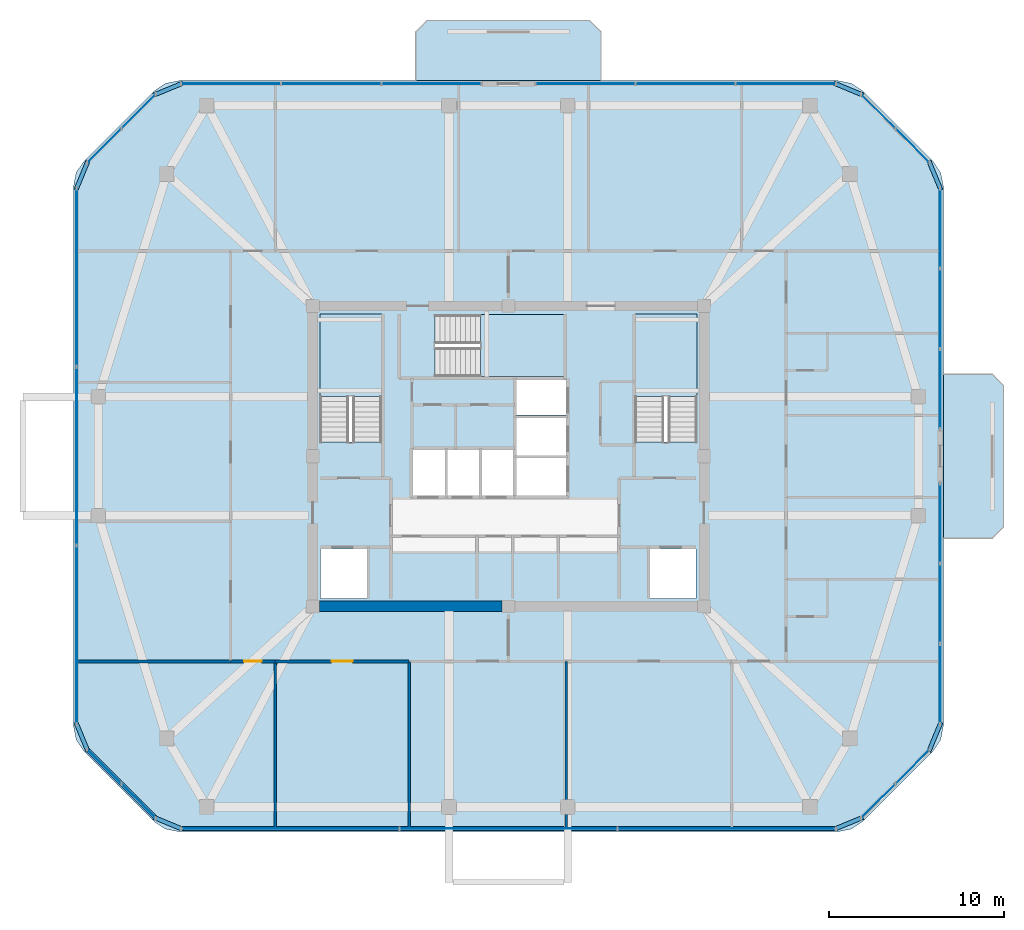
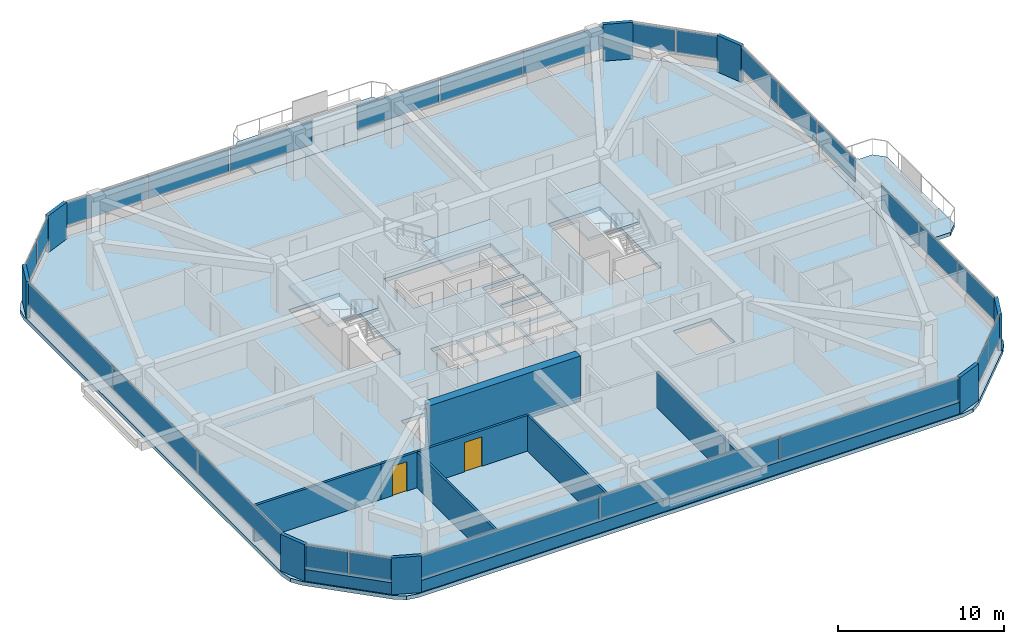
# One storey, part 8 of 14: 34 plates, 9 walls, 6 slabs, 2 doors, 2 openings, 13 elements without a shape of their own.
"""IFC4 building model written with IfcOpenShell, lengths in metres."""

from ifc_helpers import new_model, si_unit, derived_unit, direction, frame, frame_2d, origin, origin_2d, place, context, subcontext, project, spatial, polyline, rectangle, outline, extrude, material, layer, layer_set, type_object, element, fill, aggregate, save


model = new_model("IFC4")

# Units and contexts
model_context = context("Model", 3, precision=1e-05, world=origin(), true_north=direction((0.0, 1.0)))
body_context = subcontext(model_context, "Body", "Model", "MODEL_VIEW")
ifc_project = project(units=[si_unit("LENGTHUNIT", "METRE"), si_unit("AREAUNIT", "SQUARE_METRE"), si_unit("VOLUMEUNIT", "CUBIC_METRE"), si_unit("PLANEANGLEUNIT", "RADIAN"), si_unit("MASSUNIT", "GRAM", prefix="KILO"), derived_unit("THERMALTRANSMITTANCEUNIT", [(si_unit("POWERUNIT", "WATT"), 1), (si_unit("LENGTHUNIT", "METRE"), -2), (si_unit("THERMODYNAMICTEMPERATUREUNIT", "KELVIN"), -1)])], contexts=[model_context])

# Site, building, storey
site_placement = place(None, origin())
site = spatial("IfcSite", under=ifc_project, at=site_placement, CompositionType="ELEMENT")
building_placement = place(site_placement, origin())
building = spatial("IfcBuilding", under=site, at=building_placement, Name="Koralith Skygarden Medical Center", CompositionType="ELEMENT")
storey_placement = place(building_placement, frame((0.0, 0.0, 260.820068359375)))
storey = spatial("IfcBuildingStorey", under=building, at=storey_placement, Name="L67", CompositionType="ELEMENT", Elevation=260.820068359375)

# Curtain wall, plates
ifc_material_1 = material(Name="Clear Laminated Glass", Category="glass")
curtain_wall_type = type_object("IfcCurtainWallType", Name="CW-6 Zone 5 Upper Clinical Curtain Wall", PredefinedType="NOTDEFINED", material=ifc_material_1)
curtain_wall_1_placement = place(storey_placement, origin())
curtain_wall_1 = element("IfcCurtainWall", 1, at=curtain_wall_1_placement, inside=storey, type_object=curtain_wall_type, Name="Curtain Wall CW-L67-S", PredefinedType="NOTDEFINED")
ifc_layer_1 = layer(ifc_material_1, 0.0400390625)
ifc_layer_set_1 = layer_set([ifc_layer_1], Name="Clear Laminated Glass")
plate_type_1 = type_object("IfcPlateType", Name="CW-6 Hurricane Laminated IGU Panel 40", PredefinedType="CURTAIN_PANEL", material=ifc_layer_set_1)
plate_1_placement = place(storey_placement, frame((24.5029296875, 4.580078125, 0.919921875), z_axis=(0.0, 0.0, 1.0), x_axis=(1.0, 0.0, 0.0)))
plate_1 = element("IfcPlate", 2, at=plate_1_placement, type_object=plate_type_1, Name="CW-L67-S Glazed Panel 1", PredefinedType="CURTAIN_PANEL", context=body_context, shape_type="SweptSolid", body=[
    extrude(rectangle(XDim=12.406982421875, YDim=0.0400390625, at=origin_2d()), origin(), (0.0, 0.0, 1.0), 1.699951171875),
])
plate_2_placement = place(storey_placement, frame((37.0, 4.580078125, 0.919921875), z_axis=(0.0, 0.0, 1.0), x_axis=(1.0, 0.0, 0.0)))
plate_2 = element("IfcPlate", 3, at=plate_2_placement, type_object=plate_type_1, Name="CW-L67-S Glazed Panel 2", PredefinedType="CURTAIN_PANEL", context=body_context, shape_type="SweptSolid", body=[
    extrude(rectangle(XDim=12.406982421875, YDim=0.0400390625, at=origin_2d()), origin(), (0.0, 0.0, 1.0), 1.699951171875),
])
plate_3_placement = place(storey_placement, frame((49.4970703125, 4.580078125, 0.919921875), z_axis=(0.0, 0.0, 1.0), x_axis=(1.0, 0.0, 0.0)))
plate_3 = element("IfcPlate", 4, at=plate_3_placement, type_object=plate_type_1, Name="CW-L67-S Glazed Panel 3", PredefinedType="CURTAIN_PANEL", context=body_context, shape_type="SweptSolid", body=[
    extrude(rectangle(XDim=12.406982421875, YDim=0.0400390625, at=origin_2d()), origin(), (0.0, 0.0, 1.0), 1.699951171875),
])
aggregate(curtain_wall_1, [plate_1, plate_2, plate_3])

curtain_wall_2_placement = place(storey_placement, origin())
curtain_wall_2 = element("IfcCurtainWall", 5, at=curtain_wall_2_placement, inside=storey, type_object=curtain_wall_type, Name="Curtain Wall CW-L67-SE", PredefinedType="NOTDEFINED")
plate_4_placement = place(storey_placement, frame((58.177001953125, 6.162109375, 0.919921875), z_axis=(0.0, 0.0, 1.0), x_axis=(0.707106781187, 0.707106781187, 0.0)))
plate_4 = element("IfcPlate", 6, at=plate_4_placement, type_object=plate_type_1, Name="CW-L67-SE Glazed Panel 1", PredefinedType="CURTAIN_PANEL", context=body_context, shape_type="SweptSolid", body=[
    extrude(rectangle(XDim=2.68408203125, YDim=0.0400390625, at=origin_2d()), origin(), (0.0, 0.0, 1.0), 1.699951171875),
])
plate_5_placement = place(storey_placement, frame((60.137939453125, 8.123046875, 0.919921875), z_axis=(0.0, 0.0, 1.0), x_axis=(0.707106781187, 0.707106781187, 0.0)))
plate_5 = element("IfcPlate", 7, at=plate_5_placement, type_object=plate_type_1, Name="CW-L67-SE Glazed Panel 2", PredefinedType="CURTAIN_PANEL", context=body_context, shape_type="SweptSolid", body=[
    extrude(rectangle(XDim=2.68408203125, YDim=0.0400390625, at=origin_2d()), origin(), (0.0, 0.0, 1.0), 1.699951171875),
])
aggregate(curtain_wall_2, [plate_4, plate_5])

curtain_wall_3_placement = place(storey_placement, origin())
curtain_wall_3 = element("IfcCurtainWall", 8, at=curtain_wall_3_placement, inside=storey, type_object=curtain_wall_type, Name="Curtain Wall CW-L67-E-L", PredefinedType="NOTDEFINED")
plate_6_placement = place(storey_placement, frame((61.719970703125, 12.85595703125, 0.919921875), z_axis=(0.0, 0.0, 1.0), x_axis=(0.0, 1.0, 0.0)))
plate_6 = element("IfcPlate", 9, at=plate_6_placement, type_object=plate_type_1, Name="CW-L67-E-L Glazed Panel 1", PredefinedType="CURTAIN_PANEL", context=body_context, shape_type="SweptSolid", body=[
    extrude(rectangle(XDim=4.511962890625, YDim=0.0400390625, at=origin_2d()), origin(), (0.0, 0.0, 1.0), 1.699951171875),
])
plate_7_placement = place(storey_placement, frame((61.719970703125, 17.45703125, 0.919921875), z_axis=(0.0, 0.0, 1.0), x_axis=(0.0, 1.0, 0.0)))
plate_7 = element("IfcPlate", 10, at=plate_7_placement, type_object=plate_type_1, Name="CW-L67-E-L Glazed Panel 2", PredefinedType="CURTAIN_PANEL", context=body_context, shape_type="SweptSolid", body=[
    extrude(rectangle(XDim=4.511962890625, YDim=0.0400390625, at=origin_2d()), origin(), (0.0, 0.0, 1.0), 1.699951171875),
])
plate_8_placement = place(storey_placement, frame((61.719970703125, 22.05908203125, 0.919921875), z_axis=(0.0, 0.0, 1.0), x_axis=(0.0, 1.0, 0.0)))
plate_8 = element("IfcPlate", 11, at=plate_8_placement, type_object=plate_type_1, Name="CW-L67-E-L Glazed Panel 3", PredefinedType="CURTAIN_PANEL", context=body_context, shape_type="SweptSolid", body=[
    extrude(rectangle(XDim=4.511962890625, YDim=0.0400390625, at=origin_2d()), origin(), (0.0, 0.0, 1.0), 1.699951171875),
])
aggregate(curtain_wall_3, [plate_6, plate_7, plate_8])

curtain_wall_4_placement = place(storey_placement, origin())
curtain_wall_4 = element("IfcCurtainWall", 12, at=curtain_wall_4_placement, inside=storey, type_object=curtain_wall_type, Name="Curtain Wall CW-L67-E-R", PredefinedType="NOTDEFINED")
plate_9_placement = place(storey_placement, frame((61.719970703125, 29.740966796875, 0.919921875), z_axis=(0.0, 0.0, 1.0), x_axis=(0.0, 1.0, 0.0)))
plate_9 = element("IfcPlate", 13, at=plate_9_placement, type_object=plate_type_1, Name="CW-L67-E-R Glazed Panel 1", PredefinedType="CURTAIN_PANEL", context=body_context, shape_type="SweptSolid", body=[
    extrude(rectangle(XDim=4.511962890625, YDim=0.0400390625, at=origin_2d()), origin(), (0.0, 0.0, 1.0), 1.699951171875),
])
plate_10_placement = place(storey_placement, frame((61.719970703125, 34.343017578125, 0.919921875), z_axis=(0.0, 0.0, 1.0), x_axis=(0.0, 1.0, 0.0)))
plate_10 = element("IfcPlate", 14, at=plate_10_placement, type_object=plate_type_1, Name="CW-L67-E-R Glazed Panel 2", PredefinedType="CURTAIN_PANEL", context=body_context, shape_type="SweptSolid", body=[
    extrude(rectangle(XDim=4.511962890625, YDim=0.0400390625, at=origin_2d()), origin(), (0.0, 0.0, 1.0), 1.699951171875),
])
plate_11_placement = place(storey_placement, frame((61.719970703125, 38.944091796875, 0.919921875), z_axis=(0.0, 0.0, 1.0), x_axis=(0.0, 1.0, 0.0)))
plate_11 = element("IfcPlate", 15, at=plate_11_placement, type_object=plate_type_1, Name="CW-L67-E-R Glazed Panel 3", PredefinedType="CURTAIN_PANEL", context=body_context, shape_type="SweptSolid", body=[
    extrude(rectangle(XDim=4.511962890625, YDim=0.0400390625, at=origin_2d()), origin(), (0.0, 0.0, 1.0), 1.699951171875),
])
aggregate(curtain_wall_4, [plate_9, plate_10, plate_11])

curtain_wall_5_placement = place(storey_placement, origin())
curtain_wall_5 = element("IfcCurtainWall", 16, at=curtain_wall_5_placement, inside=storey, type_object=curtain_wall_type, Name="Curtain Wall CW-L67-NE", PredefinedType="NOTDEFINED")
plate_12_placement = place(storey_placement, frame((60.137939453125, 43.677001953125, 0.919921875), z_axis=(0.0, 0.0, 1.0), x_axis=(-0.707106781187, 0.707106781187, 0.0)))
plate_12 = element("IfcPlate", 17, at=plate_12_placement, type_object=plate_type_1, Name="CW-L67-NE Glazed Panel 1", PredefinedType="CURTAIN_PANEL", context=body_context, shape_type="SweptSolid", body=[
    extrude(rectangle(XDim=2.68408203125, YDim=0.0400390625, at=origin_2d()), origin(), (0.0, 0.0, 1.0), 1.699951171875),
])
plate_13_placement = place(storey_placement, frame((58.177001953125, 45.637939453125, 0.919921875), z_axis=(0.0, 0.0, 1.0), x_axis=(-0.707106781187, 0.707106781187, 0.0)))
plate_13 = element("IfcPlate", 18, at=plate_13_placement, type_object=plate_type_1, Name="CW-L67-NE Glazed Panel 2", PredefinedType="CURTAIN_PANEL", context=body_context, shape_type="SweptSolid", body=[
    extrude(rectangle(XDim=2.68408203125, YDim=0.0400390625, at=origin_2d()), origin(), (0.0, 0.0, 1.0), 1.699951171875),
])
aggregate(curtain_wall_5, [plate_12, plate_13])

curtain_wall_6_placement = place(storey_placement, origin())
curtain_wall_6 = element("IfcCurtainWall", 19, at=curtain_wall_6_placement, inside=storey, type_object=curtain_wall_type, Name="Curtain Wall CW-L67-N-L", PredefinedType="NOTDEFINED")
plate_14_placement = place(storey_placement, frame((52.8779296875, 47.219970703125, 0.919921875), z_axis=(0.0, 0.0, 1.0), x_axis=(-1.0, 0.0, 0.0)))
plate_14 = element("IfcPlate", 20, at=plate_14_placement, type_object=plate_type_1, Name="CW-L67-N-L Glazed Panel 1", PredefinedType="CURTAIN_PANEL", context=body_context, shape_type="SweptSolid", body=[
    extrude(rectangle(XDim=5.64501953125, YDim=0.0400390625, at=origin_2d()), origin(), (0.0, 0.0, 1.0), 1.699951171875),
])
plate_15_placement = place(storey_placement, frame((47.14306640625, 47.219970703125, 0.919921875), z_axis=(0.0, 0.0, 1.0), x_axis=(-1.0, 0.0, 0.0)))
plate_15 = element("IfcPlate", 21, at=plate_15_placement, type_object=plate_type_1, Name="CW-L67-N-L Glazed Panel 2", PredefinedType="CURTAIN_PANEL", context=body_context, shape_type="SweptSolid", body=[
    extrude(rectangle(XDim=5.64501953125, YDim=0.0400390625, at=origin_2d()), origin(), (0.0, 0.0, 1.0), 1.699951171875),
])
plate_16_placement = place(storey_placement, frame((41.407958984375, 47.219970703125, 0.919921875), z_axis=(0.0, 0.0, 1.0), x_axis=(-1.0, 0.0, 0.0)))
plate_16 = element("IfcPlate", 22, at=plate_16_placement, type_object=plate_type_1, Name="CW-L67-N-L Glazed Panel 3", PredefinedType="CURTAIN_PANEL", context=body_context, shape_type="SweptSolid", body=[
    extrude(rectangle(XDim=5.64501953125, YDim=0.0400390625, at=origin_2d()), origin(), (0.0, 0.0, 1.0), 1.699951171875),
])
aggregate(curtain_wall_6, [plate_14, plate_15, plate_16])

curtain_wall_7_placement = place(storey_placement, origin())
curtain_wall_7 = element("IfcCurtainWall", 23, at=curtain_wall_7_placement, inside=storey, type_object=curtain_wall_type, Name="Curtain Wall CW-L67-N-R", PredefinedType="NOTDEFINED")
plate_17_placement = place(storey_placement, frame((32.593017578125, 47.219970703125, 0.919921875), z_axis=(0.0, 0.0, 1.0), x_axis=(-1.0, 0.0, 0.0)))
plate_17 = element("IfcPlate", 24, at=plate_17_placement, type_object=plate_type_1, Name="CW-L67-N-R Glazed Panel 1", PredefinedType="CURTAIN_PANEL", context=body_context, shape_type="SweptSolid", body=[
    extrude(rectangle(XDim=5.64501953125, YDim=0.0400390625, at=origin_2d()), origin(), (0.0, 0.0, 1.0), 1.699951171875),
])
plate_18_placement = place(storey_placement, frame((26.85791015625, 47.219970703125, 0.919921875), z_axis=(0.0, 0.0, 1.0), x_axis=(-1.0, 0.0, 0.0)))
plate_18 = element("IfcPlate", 25, at=plate_18_placement, type_object=plate_type_1, Name="CW-L67-N-R Glazed Panel 2", PredefinedType="CURTAIN_PANEL", context=body_context, shape_type="SweptSolid", body=[
    extrude(rectangle(XDim=5.64501953125, YDim=0.0400390625, at=origin_2d()), origin(), (0.0, 0.0, 1.0), 1.699951171875),
])
plate_19_placement = place(storey_placement, frame((21.123046875, 47.219970703125, 0.919921875), z_axis=(0.0, 0.0, 1.0), x_axis=(-1.0, 0.0, 0.0)))
plate_19 = element("IfcPlate", 26, at=plate_19_placement, type_object=plate_type_1, Name="CW-L67-N-R Glazed Panel 3", PredefinedType="CURTAIN_PANEL", context=body_context, shape_type="SweptSolid", body=[
    extrude(rectangle(XDim=5.64501953125, YDim=0.0400390625, at=origin_2d()), origin(), (0.0, 0.0, 1.0), 1.699951171875),
])
aggregate(curtain_wall_7, [plate_17, plate_18, plate_19])

curtain_wall_8_placement = place(storey_placement, origin())
curtain_wall_8 = element("IfcCurtainWall", 27, at=curtain_wall_8_placement, inside=storey, type_object=curtain_wall_type, Name="Curtain Wall CW-L67-NW", PredefinedType="NOTDEFINED")
plate_20_placement = place(storey_placement, frame((15.822998046875, 45.637939453125, 0.919921875), z_axis=(0.0, 0.0, 1.0), x_axis=(-0.707106781187, -0.707106781187, 0.0)))
plate_20 = element("IfcPlate", 28, at=plate_20_placement, type_object=plate_type_1, Name="CW-L67-NW Glazed Panel 1", PredefinedType="CURTAIN_PANEL", context=body_context, shape_type="SweptSolid", body=[
    extrude(rectangle(XDim=2.68408203125, YDim=0.0400390625, at=origin_2d()), origin(), (0.0, 0.0, 1.0), 1.699951171875),
])
plate_21_placement = place(storey_placement, frame((13.862060546875, 43.677001953125, 0.919921875), z_axis=(0.0, 0.0, 1.0), x_axis=(-0.707106781187, -0.707106781187, 0.0)))
plate_21 = element("IfcPlate", 29, at=plate_21_placement, type_object=plate_type_1, Name="CW-L67-NW Glazed Panel 2", PredefinedType="CURTAIN_PANEL", context=body_context, shape_type="SweptSolid", body=[
    extrude(rectangle(XDim=2.68408203125, YDim=0.0400390625, at=origin_2d()), origin(), (0.0, 0.0, 1.0), 1.699951171875),
])
aggregate(curtain_wall_8, [plate_20, plate_21])

curtain_wall_9_placement = place(storey_placement, origin())
curtain_wall_9 = element("IfcCurtainWall", 30, at=curtain_wall_9_placement, inside=storey, type_object=curtain_wall_type, Name="Curtain Wall CW-L67-W", PredefinedType="NOTDEFINED")
plate_22_placement = place(storey_placement, frame((12.280029296875, 36.1298828125, 0.919921875), z_axis=(0.0, 0.0, 1.0), x_axis=(0.0, -1.0, 0.0)))
plate_22 = element("IfcPlate", 31, at=plate_22_placement, type_object=plate_type_1, Name="CW-L67-W Glazed Panel 1", PredefinedType="CURTAIN_PANEL", context=body_context, shape_type="SweptSolid", body=[
    extrude(rectangle(XDim=10.139892578125, YDim=0.0400390625, at=origin_2d()), origin(), (0.0, 0.0, 1.0), 1.699951171875),
])
plate_23_placement = place(storey_placement, frame((12.280029296875, 25.89990234375, 0.919921875), z_axis=(0.0, 0.0, 1.0), x_axis=(0.0, -1.0, 0.0)))
plate_23 = element("IfcPlate", 32, at=plate_23_placement, type_object=plate_type_1, Name="CW-L67-W Glazed Panel 2", PredefinedType="CURTAIN_PANEL", context=body_context, shape_type="SweptSolid", body=[
    extrude(rectangle(XDim=10.139892578125, YDim=0.0400390625, at=origin_2d()), origin(), (0.0, 0.0, 1.0), 1.699951171875),
])
plate_24_placement = place(storey_placement, frame((12.280029296875, 15.669921875, 0.919921875), z_axis=(0.0, 0.0, 1.0), x_axis=(0.0, -1.0, 0.0)))
plate_24 = element("IfcPlate", 33, at=plate_24_placement, type_object=plate_type_1, Name="CW-L67-W Glazed Panel 3", PredefinedType="CURTAIN_PANEL", context=body_context, shape_type="SweptSolid", body=[
    extrude(rectangle(XDim=10.139892578125, YDim=0.0400390625, at=origin_2d()), origin(), (0.0, 0.0, 1.0), 1.699951171875),
])
aggregate(curtain_wall_9, [plate_22, plate_23, plate_24])

curtain_wall_10_placement = place(storey_placement, origin())
curtain_wall_10 = element("IfcCurtainWall", 34, at=curtain_wall_10_placement, inside=storey, type_object=curtain_wall_type, Name="Curtain Wall CW-L67-SW", PredefinedType="NOTDEFINED")
plate_25_placement = place(storey_placement, frame((13.862060546875, 8.123046875, 0.919921875), z_axis=(0.0, 0.0, 1.0), x_axis=(0.707106781187, -0.707106781187, 0.0)))
plate_25 = element("IfcPlate", 35, at=plate_25_placement, type_object=plate_type_1, Name="CW-L67-SW Glazed Panel 1", PredefinedType="CURTAIN_PANEL", context=body_context, shape_type="SweptSolid", body=[
    extrude(rectangle(XDim=2.68408203125, YDim=0.0400390625, at=origin_2d()), origin(), (0.0, 0.0, 1.0), 1.699951171875),
])
plate_26_placement = place(storey_placement, frame((15.822998046875, 6.162109375, 0.919921875), z_axis=(0.0, 0.0, 1.0), x_axis=(0.707106781187, -0.707106781187, 0.0)))
plate_26 = element("IfcPlate", 36, at=plate_26_placement, type_object=plate_type_1, Name="CW-L67-SW Glazed Panel 2", PredefinedType="CURTAIN_PANEL", context=body_context, shape_type="SweptSolid", body=[
    extrude(rectangle(XDim=2.68408203125, YDim=0.0400390625, at=origin_2d()), origin(), (0.0, 0.0, 1.0), 1.699951171875),
])
aggregate(curtain_wall_10, [plate_25, plate_26])

# Slabs
ifc_material_2 = material(Name="Concrete C45/55", Category="concrete")
ifc_layer_2 = layer(ifc_material_2, 0.260009765625)
ifc_layer_set_2 = layer_set([ifc_layer_2], Name="Concrete C45/55")
slab_type_1 = type_object("IfcSlabType", Name="Cantilevered Planted Balcony Slab 260", PredefinedType="FLOOR", material=ifc_layer_set_2)
slab_1_placement = place(storey_placement, frame((0.0, 0.0, -0.260009765625)))
element("IfcSlab", 37, at=slab_1_placement, inside=storey, type_object=slab_type_1, Name="L67 N Planted Sky-Garden Balcony Slab", PredefinedType="FLOOR", context=body_context, shape_type="SweptSolid", body=[
    extrude(outline(polyline([(31.699951171875, 47.39990234375), (42.300048828125, 47.39990234375), (42.300048828125, 50.199951171875), (41.64990234375, 50.85009765625), (32.35009765625, 50.85009765625), (31.699951171875, 50.199951171875), (31.699951171875, 47.39990234375)])), origin(), (0.0, 0.0, 1.0), 0.260009765625),
])
slab_2_placement = place(storey_placement, frame((0.0, 0.0, -0.260009765625)))
element("IfcSlab", 38, at=slab_2_placement, inside=storey, type_object=slab_type_1, Name="L67 E Planted Sky-Garden Balcony Slab", PredefinedType="FLOOR", context=body_context, shape_type="SweptSolid", body=[
    extrude(outline(polyline([(61.89990234375, 21.199951171875), (64.699951171875, 21.199951171875), (65.35009765625, 21.85009765625), (65.35009765625, 29.949951171875), (64.699951171875, 30.60009765625), (61.89990234375, 30.60009765625), (61.89990234375, 21.199951171875)])), origin(), (0.0, 0.0, 1.0), 0.260009765625),
])

# Stair, slab
stair_type = type_object("IfcStairType", Name="Core Exit Dogleg Concrete Stair", PredefinedType="HALF_TURN_STAIR", material=ifc_material_2)
stair_1_placement = place(storey_placement, origin())
stair_1 = element("IfcStair", 39, at=stair_1_placement, inside=storey, type_object=stair_type, Name="L67 Smokeproof Exit Stair ST1", PredefinedType="HALF_TURN_STAIR")
ifc_layer_3 = layer(ifc_material_2, 0.199951171875)
ifc_layer_set_3 = layer_set([ifc_layer_3], Name="Concrete C45/55")
slab_type_2 = type_object("IfcSlabType", Name="Core Exit Concrete Stair Landing 200", PredefinedType="LANDING", material=ifc_layer_set_3)
slab_3_placement = place(storey_placement, frame((0.0, 0.0, 1.599853515625)))
slab_3 = element("IfcSlab", 40, at=slab_3_placement, type_object=slab_type_2, Name="ST1 landing 1", PredefinedType="LANDING", context=body_context, shape_type="SweptSolid", body=[
    extrude(outline(polyline([(29.75, 29.31005859375), (29.75, 34.050048828125), (26.199951171875, 34.050048828125), (26.199951171875, 29.31005859375), (29.75, 29.31005859375)])), origin(), (0.0, 0.0, 1.0), 0.2001953125),
])
aggregate(stair_1, [slab_3])

stair_2_placement = place(storey_placement, origin())
stair_2 = element("IfcStair", 41, at=stair_2_placement, inside=storey, type_object=stair_type, Name="L67 Smokeproof Exit Stair ST2", PredefinedType="HALF_TURN_STAIR")
slab_4_placement = place(storey_placement, frame((0.0, 0.0, 1.599853515625)))
slab_4 = element("IfcSlab", 42, at=slab_4_placement, type_object=slab_type_2, Name="ST2 landing 1", PredefinedType="LANDING", context=body_context, shape_type="SweptSolid", body=[
    extrude(outline(polyline([(47.800048828125, 29.31005859375), (47.800048828125, 34.050048828125), (44.25, 34.050048828125), (44.25, 29.31005859375), (47.800048828125, 29.31005859375)])), origin(), (0.0, 0.0, 1.0), 0.2001953125),
])
aggregate(stair_2, [slab_4])

stair_3_placement = place(storey_placement, origin())
stair_3 = element("IfcStair", 43, at=stair_3_placement, inside=storey, type_object=stair_type, Name="L67 Smokeproof Exit Stair ST3", PredefinedType="HALF_TURN_STAIR")
slab_5_placement = place(storey_placement, frame((0.0, 0.0, 1.599853515625)))
slab_5 = element("IfcSlab", 44, at=slab_5_placement, type_object=slab_type_2, Name="ST3 landing 1", PredefinedType="LANDING", context=body_context, shape_type="SweptSolid", body=[
    extrude(outline(polyline([(35.409912109375, 30.449951171875), (40.199951171875, 30.449951171875), (40.199951171875, 34.0), (35.409912109375, 34.0), (35.409912109375, 30.449951171875)])), origin(), (0.0, 0.0, 1.0), 0.2001953125),
])
aggregate(stair_3, [slab_5])

# Slab
ifc_layer_4 = layer(ifc_material_2, 0.280029296875)
ifc_layer_set_4 = layer_set([ifc_layer_4], Name="Concrete C45/55")
slab_type_3 = type_object("IfcSlabType", Name="Post-Tensioned Ward Floor Plate 280", PredefinedType="FLOOR", material=ifc_layer_set_4)
slab_6_placement = place(storey_placement, frame((0.0, 0.0, -0.280029296875)))
element("IfcSlab", 45, at=slab_6_placement, inside=storey, type_object=slab_type_3, Name="Level L67 Structural Floor Slab", PredefinedType="FLOOR", context=body_context, shape_type="SweptSolid", body=[
    extrude(outline(polyline([(16.714111328125, 4.986083984375), (17.363037109375, 4.552001953125), (18.1279296875, 4.39990234375), (55.8720703125, 4.39990234375), (56.636962890625, 4.552001953125), (57.285888671875, 4.986083984375), (61.31396484375, 9.013916015625), (61.748046875, 9.6630859375), (61.89990234375, 10.427978515625), (61.89990234375, 41.3720703125), (61.748046875, 42.136962890625), (61.31396484375, 42.785888671875), (57.285888671875, 46.81396484375), (56.636962890625, 47.248046875), (55.8720703125, 47.39990234375), (18.1279296875, 47.39990234375), (17.363037109375, 47.248046875), (16.714111328125, 46.81396484375), (12.68603515625, 42.785888671875), (12.251953125, 42.136962890625), (12.10009765625, 41.3720703125), (12.10009765625, 10.427978515625), (12.251953125, 9.6630859375), (12.68603515625, 9.013916015625), (16.714111328125, 4.986083984375)]), holes=[polyline([(26.199951171875, 26.705078125), (29.75, 26.705078125), (29.75, 34.050048828125), (26.199951171875, 34.050048828125), (26.199951171875, 26.705078125)]), polyline([(44.25, 26.705078125), (47.800048828125, 26.705078125), (47.800048828125, 34.050048828125), (44.25, 34.050048828125), (44.25, 26.705078125)]), polyline([(32.804931640625, 30.449951171875), (40.199951171875, 30.449951171875), (40.199951171875, 34.0), (32.804931640625, 34.0), (32.804931640625, 30.449951171875)]), polyline([(26.25, 17.75), (28.89990234375, 17.75), (28.89990234375, 20.60009765625), (26.25, 20.60009765625), (26.25, 17.75)]), polyline([(45.10009765625, 17.75), (47.75, 17.75), (47.75, 20.60009765625), (45.10009765625, 20.60009765625), (45.10009765625, 17.75)]), polyline([(31.550048828125, 23.64990234375), (33.39990234375, 23.64990234375), (33.39990234375, 26.25), (31.550048828125, 26.25), (31.550048828125, 23.64990234375)]), polyline([(33.5, 23.64990234375), (35.35009765625, 23.64990234375), (35.35009765625, 26.25), (33.5, 26.25), (33.5, 23.64990234375)]), polyline([(35.449951171875, 23.64990234375), (37.300048828125, 23.64990234375), (37.300048828125, 26.25), (35.449951171875, 26.25), (35.449951171875, 23.64990234375)]), polyline([(37.449951171875, 23.64990234375), (40.300048828125, 23.64990234375), (40.300048828125, 25.800048828125), (37.449951171875, 25.800048828125), (37.449951171875, 23.64990234375)]), polyline([(37.449951171875, 25.949951171875), (40.300048828125, 25.949951171875), (40.300048828125, 28.10009765625), (37.449951171875, 28.10009765625), (37.449951171875, 25.949951171875)]), polyline([(37.449951171875, 28.25), (40.300048828125, 28.25), (40.300048828125, 30.25), (37.449951171875, 30.25), (37.449951171875, 28.25)])]), origin(), (0.0, 0.0, 1.0), 0.280029296875),
])

# Plates
ifc_material_3 = material(Name="Warm Oolitic Limestone Cladding", Category="masonry")
ifc_layer_5 = layer(ifc_material_3, 0.239990234375)
ifc_layer_set_5 = layer_set([ifc_layer_5], Name="Warm Oolitic Limestone Cladding")
plate_type_2 = type_object("IfcPlateType", Name="Rounded-Corner Oolitic Limestone Cladding Panel 240", PredefinedType="USERDEFINED", material=ifc_layer_set_5)
for number, where, z_axis, x_axis, name in (
    (46, (56.470947265625, 4.8798828125, 0.0), (0.0, 0.0, 1.0), (0.92388487569, 0.382670532536, 0.0), "L67 Rounded-Corner Limestone Pier 1"),
    (47, (61.4189453125, 9.8291015625, 0.0), (0.0, 0.0, 1.0), (0.382670532536, 0.92388487569, 0.0), "L67 Rounded-Corner Limestone Pier 2"),
    (48, (61.4189453125, 41.970947265625, 0.0), (0.0, 0.0, 1.0), (-0.382670532536, 0.92388487569, 0.0), "L67 Rounded-Corner Limestone Pier 3"),
    (49, (56.470947265625, 46.9189453125, 0.0), (0.0, 0.0, 1.0), (-0.92388487569, 0.382670532536, 0.0), "L67 Rounded-Corner Limestone Pier 4"),
    (50, (17.529052734375, 46.9189453125, 0.0), (0.0, 0.0, 1.0), (-0.92388487569, -0.382670532536, 0.0), "L67 Rounded-Corner Limestone Pier 5"),
    (51, (12.5810546875, 41.970947265625, 0.0), (0.0, 0.0, 1.0), (-0.382670532536, -0.92388487569, 0.0), "L67 Rounded-Corner Limestone Pier 6"),
    (52, (12.5810546875, 9.8291015625, 0.0), (0.0, 0.0, 1.0), (0.382670532536, -0.92388487569, 0.0), "L67 Rounded-Corner Limestone Pier 7"),
    (53, (17.529052734375, 4.8798828125, 0.0), (0.0, 0.0, 1.0), (0.92388487569, -0.382670532536, 0.0), "L67 Rounded-Corner Limestone Pier 8"),
):
    element("IfcPlate", number, at=place(storey_placement, frame(where, z_axis=z_axis, x_axis=x_axis)), inside=storey, type_object=plate_type_2, Name=name, ObjectType="LIMESTONE CLADDING", PredefinedType="USERDEFINED", context=body_context, shape_type="SweptSolid", body=[
        extrude(rectangle(XDim=1.81103515625, YDim=0.239990234375, at=origin_2d()), origin(), (0.0, 0.0, 1.0), 2.68994140625),
    ])

# Walls
ifc_material_4 = material(Name="Gypsum Board Partition")
ifc_layer_6 = layer(ifc_material_4, 0.14990234375)
ifc_layer_set_6 = layer_set([ifc_layer_6], Name="Gypsum Board Partition")
wall_type_1 = type_object("IfcWallType", Name="Clinical Acoustic Partition 150", PredefinedType="PARTITIONING", material=ifc_layer_set_6)
for number, where, z_axis, x_axis, name in (
    (54, (23.64990234375, 14.14990234375, 0.0), (0.0, 0.0, 1.0), (0.0, -1.0, 0.0), "L67 Clinical Acoustic Partition 150 W-PART-L67-S-01"),
    (55, (31.31689453125, 14.14990234375, 0.0), (0.0, 0.0, 1.0), (0.0, -1.0, 0.0), "L67 Clinical Acoustic Partition 150 W-PART-L67-S-02"),
    (56, (40.31494140625, 14.14990234375, 0.0), (0.0, 0.0, 1.0), (0.0, -1.0, 0.0), "L67 Clinical Acoustic Partition 150 W-PART-L67-S-03"),
):
    element("IfcWall", number, at=place(storey_placement, frame(where, z_axis=z_axis, x_axis=x_axis)), inside=storey, type_object=wall_type_1, Name=name, PredefinedType="PARTITIONING", context=body_context, shape_type="SweptSolid", body=[
        extrude(rectangle(XDim=9.5498046875, YDim=0.14990234375, at=frame_2d((4.77490234375, 0.0))), origin(), (0.0, 0.0, 1.0), 2.60986328125),
    ])
ifc_layer_7 = layer(ifc_material_4, 0.1650390625)
ifc_layer_set_7 = layer_set([ifc_layer_7], Name="Gypsum Board Partition")
wall_type_2 = type_object("IfcWallType", Name="Clinical Corridor Partition 165", PredefinedType="PARTITIONING", material=ifc_layer_set_7)
wall_1_placement = place(storey_placement, frame((12.300048828125, 14.14990234375, 0.0), z_axis=(0.0, 0.0, 1.0), x_axis=(1.0, 0.0, 0.0)))
element("IfcWall", 57, at=wall_1_placement, inside=storey, type_object=wall_type_2, Name="L67 Clinical Corridor Partition 165 W-WB-L67-SW", PredefinedType="PARTITIONING", context=body_context, shape_type="SweptSolid", body=[
    extrude(rectangle(XDim=8.800048828125, YDim=0.1650390625, at=frame_2d((4.39990234375, 0.0))), origin(), (0.0, 0.0, 1.0), 2.60986328125),
])

# Wall, opening, door
wall_2_placement = place(storey_placement, frame((21.10009765625, 14.14990234375, 0.0), z_axis=(0.0, 0.0, 1.0), x_axis=(1.0, 0.0, 0.0)))
wall_2 = element("IfcWall", 58, at=wall_2_placement, inside=storey, type_object=wall_type_2, Name="L67 Clinical Corridor Partition 165 W-CORR-L67-S-01", PredefinedType="PARTITIONING", context=body_context, shape_type="SweptSolid", body=[
    extrude(rectangle(XDim=2.5498046875, YDim=0.1650390625, at=frame_2d((1.27490234375, 0.0))), origin(), (0.0, 0.0, 1.0), 2.60986328125),
])
opening_1_placement = place(wall_2_placement, frame((0.77490234375, 0.0, 0.0)))
opening_1 = element("IfcOpeningElement", 59, at=opening_1_placement, cuts=wall_2, Name="Opening D-SUP", PredefinedType="OPENING", context=body_context, shape_type="SweptSolid", body=[
    extrude(rectangle(XDim=1.0, YDim=2.14990234375, at=frame_2d((0.5, 1.074951171875))), frame((0.0, 0.092529296875, 0.0), z_axis=(0.0, -1.0, 0.0), x_axis=(1.0, 0.0, 0.0)), (0.0, 0.0, 1.0), 0.18505859375),
])
ifc_material_5 = material(Name="Aluminium 6063-T6", Category="aluminium")
door_type_1 = type_object("IfcDoorType", Name="Clinical Support Door D-SUP 1000", OperationType="NOTDEFINED", PredefinedType="DOOR", material=ifc_material_5)
door_1_placement = place(opening_1_placement, frame((1.0, 0.0, 0.0), z_axis=(0.0, 0.0, 1.0), x_axis=(-1.0, 0.0, 0.0)))
door_1 = element("IfcDoor", 60, at=door_1_placement, inside=storey, type_object=door_type_1, Name="L67 Infectious Disease Consult Office 06 Door", OperationType="SINGLE_SWING_LEFT", OverallHeight=2.14990234375, OverallWidth=1.0, PredefinedType="DOOR", context=body_context, shape_type="SweptSolid", body=[
    extrude(rectangle(XDim=1.0, YDim=2.14990234375, at=frame_2d((0.5, 1.074951171875))), frame((0.0, 0.02490234375, 0.0), z_axis=(0.0, -1.0, 0.0), x_axis=(1.0, 0.0, 0.0)), (0.0, 0.0, 1.0), 0.050048828125),
])
fill(opening_1, door_1)

wall_3_placement = place(storey_placement, frame((23.64990234375, 14.14990234375, 0.0), z_axis=(0.0, 0.0, 1.0), x_axis=(1.0, 0.0, 0.0)))
wall_3 = element("IfcWall", 61, at=wall_3_placement, inside=storey, type_object=wall_type_2, Name="L67 Clinical Corridor Partition 165 W-CORR-L67-S-02", PredefinedType="PARTITIONING", context=body_context, shape_type="SweptSolid", body=[
    extrude(rectangle(XDim=7.6669921875, YDim=0.1650390625, at=frame_2d((3.83349609375, 0.0))), origin(), (0.0, 0.0, 1.0), 2.60986328125),
])
opening_2_placement = place(wall_3_placement, frame((3.23388671875, 0.0, 0.0)))
opening_2 = element("IfcOpeningElement", 62, at=opening_2_placement, cuts=wall_3, Name="Opening D-CLN", PredefinedType="OPENING", context=body_context, shape_type="SweptSolid", body=[
    extrude(rectangle(XDim=1.199951171875, YDim=2.14990234375, at=frame_2d((0.60009765625, 1.074951171875))), frame((0.0, 0.092529296875, 0.0), z_axis=(0.0, -1.0, 0.0), x_axis=(1.0, 0.0, 0.0)), (0.0, 0.0, 1.0), 0.18505859375),
])
door_type_2 = type_object("IfcDoorType", Name="Clinical Corridor Door D-CLN 1200", OperationType="NOTDEFINED", PredefinedType="DOOR", material=ifc_material_5)
door_2_placement = place(opening_2_placement, frame((1.199951171875, 0.0, 0.0), z_axis=(0.0, 0.0, 1.0), x_axis=(-1.0, 0.0, 0.0)))
door_2 = element("IfcDoor", 63, at=door_2_placement, inside=storey, type_object=door_type_2, Name="L67 PPE Isolation Supply Store 07 Door", OperationType="SINGLE_SWING_RIGHT", OverallHeight=2.14990234375, OverallWidth=1.199951171875, PredefinedType="DOOR", context=body_context, shape_type="SweptSolid", body=[
    extrude(rectangle(XDim=1.199951171875, YDim=2.14990234375, at=frame_2d((0.60009765625, 1.074951171875))), frame((0.0, 0.02490234375, 0.0), z_axis=(0.0, -1.0, 0.0), x_axis=(1.0, 0.0, 0.0)), (0.0, 0.0, 1.0), 0.050048828125),
])
fill(opening_2, door_2)

# Walls
ifc_layer_8 = layer(ifc_material_3, 0.239990234375)
ifc_layer_set_8 = layer_set([ifc_layer_8], Name="Warm Oolitic Limestone Cladding")
wall_type_3 = type_object("IfcWallType", Name="Limestone Spandrel Sill Backup Wall 240", PredefinedType="SOLIDWALL", material=ifc_layer_set_8)
wall_4_placement = place(storey_placement, frame((18.2548828125, 4.580078125, 0.0), z_axis=(0.0, 0.0, 1.0), x_axis=(1.0, 0.0, 0.0)))
element("IfcWall", 64, at=wall_4_placement, inside=storey, type_object=wall_type_3, Name="L67 Sill Spandrel S", PredefinedType="SOLIDWALL", context=body_context, shape_type="SweptSolid", body=[
    extrude(rectangle(XDim=37.490234375, YDim=0.239990234375, at=frame_2d((18.7451171875, 0.0))), origin(), (0.0, 0.0, 1.0), 0.849853515625),
])
wall_5_placement = place(storey_placement, frame((12.881103515625, 9.10400390625, 0.0), z_axis=(0.0, 0.0, 1.0), x_axis=(0.707084777957, -0.707128783731, 0.0)))
element("IfcWall", 65, at=wall_5_placement, inside=storey, type_object=wall_type_3, Name="L67 Sill Spandrel SW", PredefinedType="SOLIDWALL", context=body_context, shape_type="SweptSolid", body=[
    extrude(rectangle(XDim=5.5478515625, YDim=0.239990234375, at=frame_2d((2.77392578125, 0.0))), origin(), (0.0, 0.0, 1.0), 0.849853515625),
])
ifc_material_6 = material(Name="Concrete C55/67", Category="concrete")
ifc_layer_9 = layer(ifc_material_6, 0.60009765625)
ifc_layer_set_9 = layer_set([ifc_layer_9], Name="Concrete C55/67")
wall_type_4 = type_object("IfcWallType", Name="Upper Core Shear Wall 600", PredefinedType="SHEAR", material=ifc_layer_set_9)
wall_6_placement = place(storey_placement, frame((26.175048828125, 17.300048828125, 0.0), z_axis=(0.0, 0.0, 1.0), x_axis=(1.0, 0.0, 0.0)))
element("IfcWall", 66, at=wall_6_placement, inside=storey, type_object=wall_type_4, Name="L67 Core Shear Wall Segment 1", PredefinedType="SHEAR", context=body_context, shape_type="SweptSolid", body=[
    extrude(rectangle(XDim=10.449951171875, YDim=0.60009765625, at=frame_2d((5.22509765625, 0.0))), origin(), (0.0, 0.0, 1.0), 3.31982421875),
])

save(model, "model.ifc")
